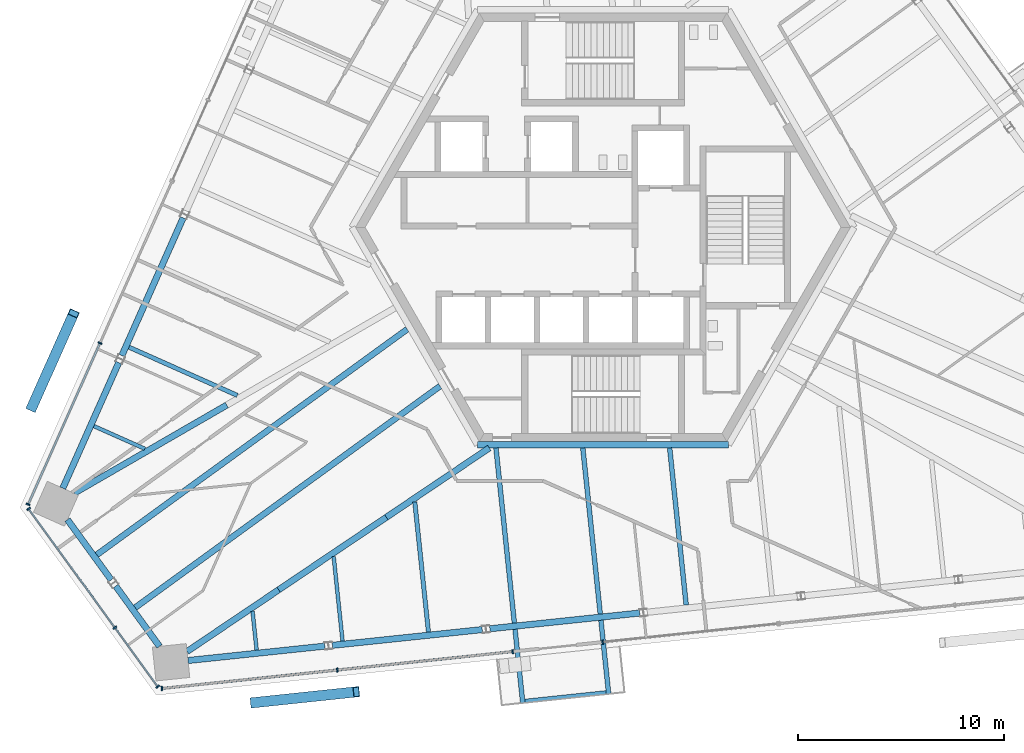
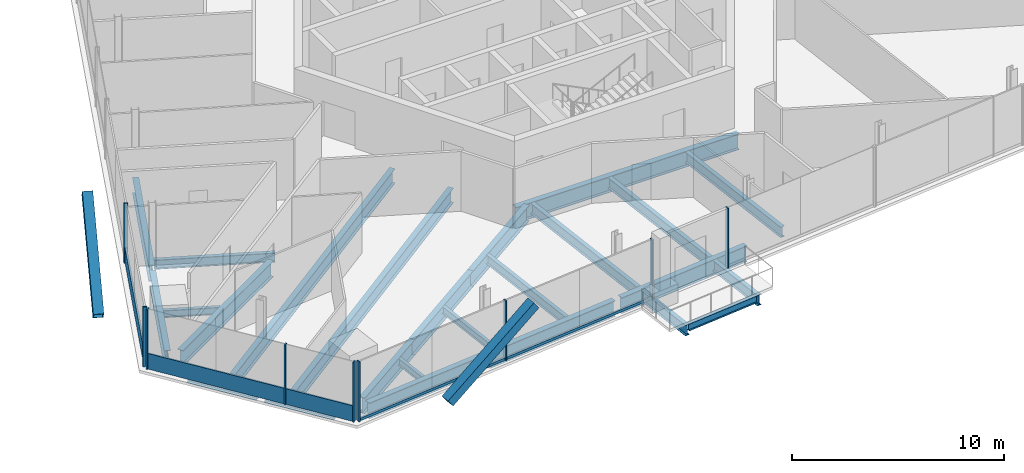
# One storey, part 4 of 19: 25 beams, 16 members, 4 elements without a shape of their own.
"""IFC4 building model written with IfcOpenShell, lengths in metres."""

import ifcopenshell
import ifcopenshell.guid

model = None  # the IFC model being written
_history = None  # IfcOwnerHistory: only IFC2X3 demands one
_inside = {}  # id of a spatial element -> (the spatial element, [elements in it])
_under = {}  # id of a project, library or spatial element -> (it, [spatial elements below it])
_declared = {}  # id of a project -> (the project, [libraries it declares])
_typed = {}  # id of a type object -> (the type object, [elements of that type])
_made_of = {}  # id of a material, layer set ... -> (it, [elements and type objects made of it])


def new_model(schema):
    """Start an empty IFC model of exactly this schema.

    Asked for "IFC4X3", IfcOpenShell would pick the latest addendum, in which some entities
    have other attributes; the version numbers below select the first issue.
    IFC2X3 requires an IfcOwnerHistory on every rooted entity: one is made here for all.
    """
    global model, _history
    if schema == "IFC4X3":
        model = ifcopenshell.file(schema_version=(4, 3, 0, 0))
    else:
        model = ifcopenshell.file(schema=schema)
    _inside.clear()
    _under.clear()
    _declared.clear()
    _typed.clear()
    _made_of.clear()
    _history = None
    if model.schema == "IFC2X3":
        org = make("IfcOrganization", Name="unknown")
        user = make(
            "IfcPersonAndOrganization",
            ThePerson=make("IfcPerson", FamilyName="unknown"),
            TheOrganization=org,
        )
        app = make(
            "IfcApplication",
            ApplicationDeveloper=org,
            Version="unknown",
            ApplicationFullName="unknown",
            ApplicationIdentifier="unknown",
        )
        _history = make(
            "IfcOwnerHistory",
            OwningUser=user,
            OwningApplication=app,
            ChangeAction="ADDED",
            CreationDate=0,
        )
    return model


def make(cls, **values):
    """One entity of the class cls with the attributes given. An attribute that is None is left unset."""
    return model.create_entity(
        cls, **{name: value for name, value in values.items() if value is not None}
    )


def rooted(cls, **values):
    """An entity with a GlobalId (a new one), such as an element, a storey or a relation."""
    return make(cls, GlobalId=ifcopenshell.guid.new(), OwnerHistory=_history, **values)


def si_unit(unit_type, name, prefix=None):
    """IfcSIUnit, for example si_unit("LENGTHUNIT", "METRE", prefix="MILLI")."""
    return make("IfcSIUnit", UnitType=unit_type, Prefix=prefix, Name=name)


def assignment(units):
    """IfcUnitAssignment: the units of a project."""
    return None if units is None else make("IfcUnitAssignment", Units=units)


def point(xyz):
    """IfcCartesianPoint."""
    return None if xyz is None else make("IfcCartesianPoint", Coordinates=xyz)


def direction(xyz):
    """IfcDirection."""
    return None if xyz is None else make("IfcDirection", DirectionRatios=xyz)


def frame(location, z_axis=None, x_axis=None):
    """IfcAxis2Placement3D, a coordinate frame: its origin and axes. An axis left out is left unset."""
    return make(
        "IfcAxis2Placement3D",
        Location=point(location),
        Axis=direction(z_axis),
        RefDirection=direction(x_axis),
    )


def frame_2d(location, x_axis=None):
    """IfcAxis2Placement2D, a coordinate frame in the plane: its origin and x axis."""
    return make(
        "IfcAxis2Placement2D", Location=point(location), RefDirection=direction(x_axis)
    )


def origin():
    """The frame at (0, 0, 0) with its axes left unset."""
    return frame((0.0, 0.0, 0.0))


def origin_2d():
    """The frame at (0, 0) in the plane with its x axis left unset."""
    return frame_2d((0.0, 0.0))


def place(relative_to, where):
    """IfcLocalPlacement: puts the frame where relative to a parent placement (None: the world)."""
    return make(
        "IfcLocalPlacement", PlacementRelTo=relative_to, RelativePlacement=where
    )


def context(
    kind, dimensions, precision=None, world=None, true_north=None, identifier=None
):
    """IfcGeometricRepresentationContext, for example the 3D "Model" context."""
    return make(
        "IfcGeometricRepresentationContext",
        ContextIdentifier=identifier,
        ContextType=kind,
        CoordinateSpaceDimension=dimensions,
        Precision=precision,
        WorldCoordinateSystem=world,
        TrueNorth=true_north,
    )


def subcontext(parent, identifier, kind, view, scale=None):
    """IfcGeometricRepresentationSubContext, for example "Body" below "Model"."""
    return make(
        "IfcGeometricRepresentationSubContext",
        ContextIdentifier=identifier,
        ContextType=kind,
        ParentContext=parent,
        TargetScale=scale,
        TargetView=view,
    )


def project(units=None, contexts=None):
    """IfcProject with its units and contexts."""
    return rooted(
        "IfcProject",
        Name="project",
        RepresentationContexts=contexts,
        UnitsInContext=assignment(units),
    )


def spatial(cls, under=None, at=None, **own):
    """A site, building, storey or space (cls), placed at a placement, below another one or the project."""
    s = rooted(cls, ObjectPlacement=at, **own)
    if under is not None:
        _under.setdefault(under.id(), (under, []))[1].append(s)
    return s


def profile(cls, at=None, kind="AREA", **sizes):
    """A parametric profile (cls). Its sizes go by their IFC names, for example OverallWidth=200.0."""
    return make(cls, ProfileType=kind, Position=at, **sizes)


def rectangle(**sizes):
    """IfcRectangleProfileDef."""
    return profile("IfcRectangleProfileDef", **sizes)


def hollow_rectangle(**sizes):
    """IfcRectangleHollowProfileDef."""
    return profile("IfcRectangleHollowProfileDef", **sizes)


def i_section(**sizes):
    """IfcIShapeProfileDef."""
    return profile("IfcIShapeProfileDef", **sizes)


def extrude(swept, where, along, depth):
    """IfcExtrudedAreaSolid: the profile swept, set in the frame where, extruded along a direction by depth."""
    return make(
        "IfcExtrudedAreaSolid",
        SweptArea=swept,
        Position=where,
        ExtrudedDirection=direction(along),
        Depth=depth,
    )


def shape(context_of_items, identifier, shape_type, items):
    """IfcShapeRepresentation: the items that make up one representation, for example the "Body"."""
    return make(
        "IfcShapeRepresentation",
        ContextOfItems=context_of_items,
        RepresentationIdentifier=identifier,
        RepresentationType=shape_type,
        Items=items,
    )


def source(mapping_origin, context_of_items, identifier, shape_type, items):
    """IfcRepresentationMap: a shape defined once, which mapped items show again and again."""
    return make(
        "IfcRepresentationMap",
        MappingOrigin=mapping_origin,
        MappedRepresentation=shape(context_of_items, identifier, shape_type, items),
    )


def transform(
    local_origin,
    x_axis=None,
    y_axis=None,
    z_axis=None,
    scale=None,
    scale2=None,
    scale3=None,
    uniform=True,
):
    """IfcCartesianTransformationOperator3D, or its non-uniform kind. x_axis, y_axis, z_axis: its Axis1, 2, 3."""
    if uniform:
        return make(
            "IfcCartesianTransformationOperator3D",
            Axis1=direction(x_axis),
            Axis2=direction(y_axis),
            LocalOrigin=point(local_origin),
            Scale=scale,
            Axis3=direction(z_axis),
        )
    return make(
        "IfcCartesianTransformationOperator3DnonUniform",
        Axis1=direction(x_axis),
        Axis2=direction(y_axis),
        LocalOrigin=point(local_origin),
        Scale=scale,
        Axis3=direction(z_axis),
        Scale2=scale2,
        Scale3=scale3,
    )


def mapped(mapping_source, mapping_target):
    """IfcMappedItem: shows the shape of a source again, moved by a transform."""
    return make(
        "IfcMappedItem", MappingSource=mapping_source, MappingTarget=mapping_target
    )


def material(Name=None, Category=None):
    """IfcMaterial."""
    return make("IfcMaterial", Name=Name, Category=Category)


def material_profile(
    of_material, cross_section, Name=None, Category=None, Priority=None
):
    """IfcMaterialProfile: a cross section and its material."""
    return make(
        "IfcMaterialProfile",
        Name=Name,
        Material=of_material,
        Profile=cross_section,
        Priority=Priority,
        Category=Category,
    )


def profile_set(profiles, Name=None, composite=None):
    """IfcMaterialProfileSet."""
    return make(
        "IfcMaterialProfileSet",
        Name=Name,
        MaterialProfiles=profiles,
        CompositeProfile=composite,
    )


def made_of(thing, what):
    """Note that an element or type object is made of a material, layer set ...; save() writes the relation."""
    if what is not None:
        _made_of.setdefault(what.id(), (what, []))[1].append(thing)
    return thing


def type_object(cls, material=None, **own):
    """A type object (cls), such as IfcWallType, which elements share."""
    return made_of(rooted(cls, **own), material)


def element(
    cls,
    number,
    at=None,
    inside=None,
    cuts=None,
    type_object=None,
    material=None,
    context=None,
    identifier="Body",
    shape_type=None,
    held_by="IfcProductDefinitionShape",
    body=None,
    shapes=None,
    **own,
):
    """One element of the class cls, such as IfcWall. Its Tag is "e" and its number.

    at: its placement. inside: the storey or other place that contains it. cuts: it is an
    opening in that element (IfcRelVoidsElement). A single representation is given by context,
    identifier, shape_type and body (its items); several are given by shapes. held_by: the class
    of the entity that holds the representations. save() writes the other relations.
    """
    e = rooted(cls, Tag="e%d" % number, ObjectPlacement=at, **own)
    if body is not None:
        shapes = [shape(context, identifier, shape_type, body)]
    if shapes is not None:
        e.Representation = make(held_by, Representations=shapes)
    if inside is not None:
        _inside.setdefault(inside.id(), (inside, []))[1].append(e)
    if cuts is not None:
        rooted(
            "IfcRelVoidsElement", RelatingBuildingElement=cuts, RelatedOpeningElement=e
        )
    if type_object is not None:
        _typed.setdefault(type_object.id(), (type_object, []))[1].append(e)
    return made_of(e, material)


def aggregate(whole, parts):
    """IfcRelAggregates: a whole, such as a stair, and the parts it consists of."""
    return rooted("IfcRelAggregates", RelatingObject=whole, RelatedObjects=parts)


def save(model, path):
    """Write the relations noted so far, then the file.

    IfcRelAggregates (storeys below a building ...), IfcRelContainedInSpatialStructure (elements
    in a storey), IfcRelDefinesByType, IfcRelAssociatesMaterial and IfcRelDeclares: one each for
    every whole, place, type object, material and project.
    """
    for whole, parts in _under.values():
        aggregate(whole, parts)
    for where, things in _inside.values():
        rooted(
            "IfcRelContainedInSpatialStructure",
            RelatedElements=things,
            RelatingStructure=where,
        )
    for kind, things in _typed.values():
        rooted("IfcRelDefinesByType", RelatedObjects=things, RelatingType=kind)
    for what, things in _made_of.values():
        rooted("IfcRelAssociatesMaterial", RelatedObjects=things, RelatingMaterial=what)
    for by, libraries in _declared.values():
        rooted("IfcRelDeclares", RelatingContext=by, RelatedDefinitions=libraries)
    model.write(path)


model = new_model("IFC4")

# Units and contexts
model_context = context("Model", 3, precision=1e-05, world=origin(), true_north=direction((0.0, 1.0)))
body_context = subcontext(model_context, "Body", "Model", "MODEL_VIEW")
ifc_project = project(units=[si_unit("LENGTHUNIT", "METRE"), si_unit("AREAUNIT", "SQUARE_METRE"), si_unit("VOLUMEUNIT", "CUBIC_METRE"), si_unit("PLANEANGLEUNIT", "RADIAN"), si_unit("MASSUNIT", "GRAM", prefix="KILO")], contexts=[model_context])

# Site, building, storey
site_placement = place(None, origin())
site = spatial("IfcSite", under=ifc_project, at=site_placement, CompositionType="ELEMENT")
building_placement = place(site_placement, origin())
building = spatial("IfcBuilding", under=site, at=building_placement, Name="Triune Harvest Tower", CompositionType="ELEMENT")
storey_placement = place(building_placement, frame((0.0, 0.0, 223.300048828125)))
storey = spatial("IfcBuildingStorey", under=building, at=storey_placement, Name="L58", CompositionType="ELEMENT", Elevation=223.300048828125)

# Beams
ifc_material_1 = material(Name="Steel ASTM A992 Gr 50", Category="steel")
ifc_material_profile_1 = material_profile(ifc_material_1, i_section(OverallWidth=0.3046875, OverallDepth=0.914306640625, WebThickness=0.0166015625, FlangeThickness=0.02587890625, at=origin_2d()), Name="W36x160")
ifc_profile_set_1 = profile_set([ifc_material_profile_1], Name="Steel ASTM A992 Gr 50")
beam_type_1 = type_object("IfcBeamType", Name="CG-1 Core ring girder W36x160", PredefinedType="BEAM", material=ifc_profile_set_1)
shared_shape_1 = source(origin(), body_context, "Body", "SweptSolid", [
    extrude(i_section(OverallWidth=0.3046875, OverallDepth=0.914306640625, WebThickness=0.0166015625, FlangeThickness=0.02587890625, at=origin_2d()), origin(), (0.0, 0.0, 1.0), 12.17578125),
])
beam_1_placement = place(storey_placement, frame((-6.087890625, -10.544677734375, -0.6171875), z_axis=(1.0, 0.0, 0.0), x_axis=(0.0, 1.0, 0.0)))
element("IfcBeam", 1, at=beam_1_placement, inside=storey, type_object=beam_type_1, Name="beam/L58/CG5", PredefinedType="BEAM", context=body_context, shape_type="MappedRepresentation", body=[
    mapped(shared_shape_1, transform((0.0, 0.0, 0.0), scale=1.0)),
])
ifc_material_2 = material(Name="Steel ASTM A992 Gr 50", Category="steel")
ifc_material_profile_2 = material_profile(ifc_material_2, i_section(OverallWidth=0.3046875, OverallDepth=0.914306640625, WebThickness=0.0166015625, FlangeThickness=0.02587890625, at=origin_2d()), Name="W36x160")
ifc_profile_set_2 = profile_set([ifc_material_profile_2], Name="Steel ASTM A992 Gr 50")
beam_type_2 = type_object("IfcBeamType", Name="HG-3 Hip girder W36x160", PredefinedType="BEAM", material=ifc_profile_set_2)
shared_shape_2 = source(origin(), body_context, "Body", "SweptSolid", [
    extrude(i_section(OverallWidth=0.3046875, OverallDepth=0.914306640625, WebThickness=0.0166015625, FlangeThickness=0.02587890625, at=origin_2d()), origin(), (0.0, 0.0, 1.0), 6.293701171875),
])
beam_2_placement = place(storey_placement, frame((-15.72802734375, -17.576904296875, -0.6171875), z_axis=(0.829391075311, 0.558668456416, 0.0), x_axis=(-0.558668456416, 0.829391075311, 0.0)))
element("IfcBeam", 2, at=beam_2_placement, inside=storey, type_object=beam_type_2, Name="beam/L58/HG8", PredefinedType="BEAM", context=body_context, shape_type="MappedRepresentation", body=[
    mapped(shared_shape_2, transform((0.0, 0.0, 0.0), scale=1.0)),
])
shared_shape_3 = source(origin(), body_context, "Body", "SweptSolid", [
    extrude(i_section(OverallWidth=0.3046875, OverallDepth=0.914306640625, WebThickness=0.0166015625, FlangeThickness=0.02587890625, at=origin_2d()), origin(), (0.0, 0.0, 1.0), 6.02099609375),
])
beam_3_placement = place(storey_placement, frame((-10.508056640625, -14.060791015625, -0.6171875), z_axis=(0.829383245618, 0.558680080088, 0.0), x_axis=(-0.558680080088, 0.829383245618, 0.0)))
element("IfcBeam", 3, at=beam_3_placement, inside=storey, type_object=beam_type_2, Name="beam/L58/HG9", PredefinedType="BEAM", context=body_context, shape_type="MappedRepresentation", body=[
    mapped(shared_shape_3, transform((0.0, 0.0, 0.0), scale=1.0)),
])
ifc_material_3 = material(Name="Steel ASTM A992 Gr 50", Category="steel")
ifc_material_profile_3 = material_profile(ifc_material_3, i_section(OverallWidth=0.3046875, OverallDepth=0.914306640625, WebThickness=0.0166015625, FlangeThickness=0.02587890625, at=origin_2d()), Name="W36x160")
ifc_profile_set_3 = profile_set([ifc_material_profile_3], Name="Steel ASTM A992 Gr 50")
beam_type_3 = type_object("IfcBeamType", Name="SB-1 Spandrel beam W36x160", PredefinedType="SPANDREL", material=ifc_profile_set_3)
shared_shape_4 = source(origin(), body_context, "Body", "SweptSolid", [
    extrude(i_section(OverallWidth=0.3046875, OverallDepth=0.914306640625, WebThickness=0.0166015625, FlangeThickness=0.02587890625, at=origin_2d()), origin(), (0.0, 0.0, 1.0), 6.67041015625),
])
beam_4_placement = place(storey_placement, frame((-20.127685546875, -21.007080078125, -0.6171875), z_axis=(0.994521485501, 0.104532362822, 0.0), x_axis=(-0.104532362822, 0.994521485501, 0.0)))
element("IfcBeam", 4, at=beam_4_placement, inside=storey, type_object=beam_type_3, Name="beam/L58/SB17", PredefinedType="SPANDREL", context=body_context, shape_type="MappedRepresentation", body=[
    mapped(shared_shape_4, transform((0.0, 0.0, 0.0), scale=1.0)),
])
shared_shape_5 = source(origin(), body_context, "Body", "SweptSolid", [
    extrude(i_section(OverallWidth=0.3046875, OverallDepth=0.914306640625, WebThickness=0.0166015625, FlangeThickness=0.02587890625, at=origin_2d()), origin(), (0.0, 0.0, 1.0), 7.31103515625),
])
beam_5_placement = place(storey_placement, frame((-13.127685546875, -20.271240234375, -0.6171875), z_axis=(0.994522639393, 0.104521384101, 0.0), x_axis=(-0.104521384101, 0.994522639393, 0.0)))
element("IfcBeam", 5, at=beam_5_placement, inside=storey, type_object=beam_type_3, Name="beam/L58/SB18", PredefinedType="SPANDREL", context=body_context, shape_type="MappedRepresentation", body=[
    mapped(shared_shape_5, transform((0.0, 0.0, 0.0), scale=1.0)),
])
shared_shape_6 = source(origin(), body_context, "Body", "SweptSolid", [
    extrude(i_section(OverallWidth=0.3046875, OverallDepth=0.914306640625, WebThickness=0.0166015625, FlangeThickness=0.02587890625, at=origin_2d()), origin(), (0.0, 0.0, 1.0), 3.614990234375),
])
for number, where, z_axis, x_axis, name in (
    (6, (-25.974365234375, -14.175537109375, -0.6171875), (0.587818273033, -0.808993002373, 0.0), (0.808993002373, 0.587818273033, 0.0), "beam/L58/SB15"),
    (7, (-23.633056640625, -17.39794921875, -0.6171875), (0.587818273033, -0.808993002373, 0.0), (0.808993002373, 0.587818273033, 0.0), "beam/L58/SB16"),
):
    element("IfcBeam", number, at=place(storey_placement, frame(where, z_axis=z_axis, x_axis=x_axis)), inside=storey, type_object=beam_type_3, Name=name, PredefinedType="SPANDREL", context=body_context, shape_type="MappedRepresentation", body=[
        mapped(shared_shape_6, transform((0.0, 0.0, 0.0), scale=1.0)),
    ])
shared_shape_7 = source(origin(), body_context, "Body", "SweptSolid", [
    extrude(i_section(OverallWidth=0.3046875, OverallDepth=0.914306640625, WebThickness=0.0166015625, FlangeThickness=0.02587890625, at=origin_2d()), origin(), (0.0, 0.0, 1.0), 6.670166015625),
])
beam_6_placement = place(storey_placement, frame((-23.485595703125, -6.5576171875, -0.6171875), z_axis=(-0.406722507275, -0.913551751176, 0.0), x_axis=(0.913551751176, -0.406722507275, 0.0)))
element("IfcBeam", 8, at=beam_6_placement, inside=storey, type_object=beam_type_3, Name="beam/L58/SB14", PredefinedType="SPANDREL", context=body_context, shape_type="MappedRepresentation", body=[
    mapped(shared_shape_7, transform((0.0, 0.0, 0.0), scale=1.0)),
])
shared_shape_8 = source(origin(), body_context, "Body", "SweptSolid", [
    extrude(i_section(OverallWidth=0.3046875, OverallDepth=0.914306640625, WebThickness=0.0166015625, FlangeThickness=0.02587890625, at=origin_2d()), origin(), (0.0, 0.0, 1.0), 7.311279296875),
])
for number, where, z_axis, x_axis, name in (
    (9, (-20.362060546875, 0.4580078125, -0.6171875), (-0.406720859208, -0.91355248491, 0.0), (0.91355248491, -0.406720859208, 0.0), "beam/L58/SB13"),
    (10, (-5.490478515625, -19.468505859375, -0.6171875), (0.994519532674, 0.104550940362, 0.0), (-0.104550940362, 0.994519532674, 0.0), "beam/L58/SB19"),
):
    element("IfcBeam", number, at=place(storey_placement, frame(where, z_axis=z_axis, x_axis=x_axis)), inside=storey, type_object=beam_type_3, Name=name, PredefinedType="SPANDREL", context=body_context, shape_type="MappedRepresentation", body=[
        mapped(shared_shape_8, transform((0.0, 0.0, 0.0), scale=1.0)),
    ])
shared_shape_9 = source(origin(), body_context, "Body", "SweptSolid", [
    extrude(i_section(OverallWidth=0.3046875, OverallDepth=0.914306640625, WebThickness=0.0166015625, FlangeThickness=0.02587890625, at=origin_2d()), origin(), (0.0, 0.0, 1.0), 8.548583984375),
])
beam_7_placement = place(storey_placement, frame((-25.651123046875, -12.89501953125, -0.6171875), z_axis=(0.866020080793, 0.500009219579, 0.0), x_axis=(-0.500009219579, 0.866020080793, 0.0)))
element("IfcBeam", 11, at=beam_7_placement, inside=storey, type_object=beam_type_2, Name="beam/L58/HG5", PredefinedType="BEAM", context=body_context, shape_type="MappedRepresentation", body=[
    mapped(shared_shape_9, transform((0.0, 0.0, 0.0), scale=1.0)),
])
shared_shape_10 = source(origin(), body_context, "Body", "SweptSolid", [
    extrude(i_section(OverallWidth=0.3046875, OverallDepth=0.914306640625, WebThickness=0.0166015625, FlangeThickness=0.02587890625, at=origin_2d()), origin(), (0.0, 0.0, 1.0), 5.35986328125),
])
beam_8_placement = place(storey_placement, frame((-20.173583984375, -20.5712890625, -0.6171875), z_axis=(0.829399024376, 0.558656655169, 0.0), x_axis=(-0.558656655169, 0.829399024376, 0.0)))
element("IfcBeam", 12, at=beam_8_placement, inside=storey, type_object=beam_type_2, Name="beam/L58/HG7", PredefinedType="BEAM", context=body_context, shape_type="MappedRepresentation", body=[
    mapped(shared_shape_10, transform((0.0, 0.0, 0.0), scale=1.0)),
])
ifc_material_4 = material(Name="Steel ASTM A992 Gr 50", Category="steel")
ifc_material_profile_4 = material_profile(ifc_material_4, i_section(OverallWidth=0.2099609375, OverallDepth=0.535888671875, WebThickness=0.010986328125, FlangeThickness=0.017333984375, at=origin_2d()), Name="W21x68")
ifc_profile_set_4 = profile_set([ifc_material_profile_4], Name="Steel ASTM A992 Gr 50")
beam_type_4 = type_object("IfcBeamType", Name="JT-2 Floor joist W21x68", PredefinedType="JOIST", material=ifc_profile_set_4)
shared_shape_11 = source(origin(), body_context, "Body", "SweptSolid", [
    extrude(i_section(OverallWidth=0.2099609375, OverallDepth=0.535888671875, WebThickness=0.010986328125, FlangeThickness=0.017333984375, at=origin_2d()), origin(), (0.0, 0.0, 1.0), 6.346435546875),
])
beam_9_placement = place(storey_placement, frame((-8.466552734375, -19.628173828125, -0.427978515625), z_axis=(-0.104518578592, 0.99452293424, 0.0), x_axis=(-0.99452293424, -0.104518578592, 0.0)))
element("IfcBeam", 13, at=beam_9_placement, inside=storey, type_object=beam_type_4, Name="beam/L58/JT27", PredefinedType="JOIST", context=body_context, shape_type="MappedRepresentation", body=[
    mapped(shared_shape_11, transform((0.0, 0.0, 0.0), scale=1.0)),
])
ifc_material_5 = material(Name="Steel ASTM A992 Gr 50", Category="steel")
ifc_material_profile_5 = material_profile(ifc_material_5, i_section(OverallWidth=0.22900390625, OverallDepth=0.612060546875, WebThickness=0.011962890625, FlangeThickness=0.01953125, at=origin_2d()), Name="W24x84")
ifc_profile_set_5 = profile_set([ifc_material_profile_5], Name="Steel ASTM A992 Gr 50")
beam_type_5 = type_object("IfcBeamType", Name="JT-3 Floor joist W24x84", PredefinedType="JOIST", material=ifc_profile_set_5)
shared_shape_12 = source(origin(), body_context, "Body", "SweptSolid", [
    extrude(i_section(OverallWidth=0.22900390625, OverallDepth=0.612060546875, WebThickness=0.011962890625, FlangeThickness=0.01953125, at=origin_2d()), origin(), (0.0, 0.0, 1.0), 8.099609375),
])
beam_10_placement = place(storey_placement, frame((-0.135009765625, -18.752197265625, -0.466064453125), z_axis=(-0.104534153452, 0.994521297289, 0.0), x_axis=(-0.994521297289, -0.104534153452, 0.0)))
element("IfcBeam", 14, at=beam_10_placement, inside=storey, type_object=beam_type_5, Name="beam/L58/JT29", PredefinedType="JOIST", context=body_context, shape_type="MappedRepresentation", body=[
    mapped(shared_shape_12, transform((0.0, 0.0, 0.0), scale=1.0)),
])
shared_shape_13 = source(origin(), body_context, "Body", "SweptSolid", [
    extrude(i_section(OverallWidth=0.22900390625, OverallDepth=0.612060546875, WebThickness=0.011962890625, FlangeThickness=0.01953125, at=origin_2d()), origin(), (0.0, 0.0, 1.0), 7.659423828125),
])
beam_11_placement = place(storey_placement, frame((4.031005859375, -18.314453125, -0.466064453125), z_axis=(-0.104548726976, 0.994519765358, 0.0), x_axis=(-0.994519765358, -0.104548726976, 0.0)))
element("IfcBeam", 15, at=beam_11_placement, inside=storey, type_object=beam_type_5, Name="beam/L58/JT30", PredefinedType="JOIST", context=body_context, shape_type="MappedRepresentation", body=[
    mapped(shared_shape_13, transform((0.0, 0.0, 0.0), scale=1.0)),
])
shared_shape_14 = source(origin(), body_context, "Body", "SweptSolid", [
    extrude(i_section(OverallWidth=0.2099609375, OverallDepth=0.535888671875, WebThickness=0.010986328125, FlangeThickness=0.017333984375, at=origin_2d()), origin(), (0.0, 0.0, 1.0), 5.745849609375),
])
beam_12_placement = place(storey_placement, frame((-22.987548828125, -5.8134765625, -0.427978515625), z_axis=(0.913552037091, -0.406721865071, 0.0), x_axis=(0.406721865071, 0.913552037091, 0.0)))
element("IfcBeam", 16, at=beam_12_placement, inside=storey, type_object=beam_type_4, Name="beam/L58/JT21", PredefinedType="JOIST", context=body_context, shape_type="MappedRepresentation", body=[
    mapped(shared_shape_14, transform((0.0, 0.0, 0.0), scale=1.0)),
])
ifc_material_6 = material(Name="Steel ASTM A992 Gr 50", Category="steel")
ifc_material_profile_6 = material_profile(ifc_material_6, i_section(OverallWidth=0.2919921875, OverallDepth=0.8408203125, WebThickness=0.0146484375, FlangeThickness=0.021728515625, at=origin_2d()), Name="W33x130")
ifc_profile_set_6 = profile_set([ifc_material_profile_6], Name="Steel ASTM A992 Gr 50")
beam_type_6 = type_object("IfcBeamType", Name="JT-6 Floor joist W33x130", PredefinedType="JOIST", material=ifc_profile_set_6)
shared_shape_15 = source(origin(), body_context, "Body", "SweptSolid", [
    extrude(i_section(OverallWidth=0.2919921875, OverallDepth=0.8408203125, WebThickness=0.0146484375, FlangeThickness=0.021728515625, at=origin_2d()), origin(), (0.0, 0.0, 1.0), 18.27099609375),
])
beam_13_placement = place(storey_placement, frame((-22.68701171875, -18.44091796875, -0.58056640625), z_axis=(0.809013927609, 0.587789473311, 0.0), x_axis=(-0.587789473311, 0.809013927609, 0.0)))
element("IfcBeam", 17, at=beam_13_placement, inside=storey, type_object=beam_type_6, Name="beam/L58/JT24", PredefinedType="JOIST", context=body_context, shape_type="MappedRepresentation", body=[
    mapped(shared_shape_15, transform((0.0, 0.0, 0.0), scale=1.0)),
])
ifc_material_7 = material(Name="Steel ASTM A992 Gr 50", Category="steel")
ifc_material_profile_7 = material_profile(ifc_material_7, i_section(OverallWidth=0.180908203125, OverallDepth=0.41650390625, WebThickness=0.010986328125, FlangeThickness=0.01806640625, at=origin_2d()), Name="W16x57")
ifc_profile_set_7 = profile_set([ifc_material_profile_7], Name="Steel ASTM A992 Gr 50")
beam_type_7 = type_object("IfcBeamType", Name="JT-1 Floor joist W16x57", PredefinedType="JOIST", material=ifc_profile_set_7)
shared_shape_16 = source(origin(), body_context, "Body", "SweptSolid", [
    extrude(i_section(OverallWidth=0.180908203125, OverallDepth=0.41650390625, WebThickness=0.010986328125, FlangeThickness=0.01806640625, at=origin_2d()), origin(), (0.0, 0.0, 1.0), 1.899169921875),
])
beam_14_placement = place(storey_placement, frame((-16.79833984375, -20.50390625, -0.368408203125), z_axis=(-0.104517481806, 0.994523049505, 0.0), x_axis=(-0.994523049505, -0.104517481806, 0.0)))
element("IfcBeam", 18, at=beam_14_placement, inside=storey, type_object=beam_type_7, Name="beam/L58/JT25", PredefinedType="JOIST", context=body_context, shape_type="MappedRepresentation", body=[
    mapped(shared_shape_16, transform((0.0, 0.0, 0.0), scale=1.0)),
])
shared_shape_17 = source(origin(), body_context, "Body", "SweptSolid", [
    extrude(i_section(OverallWidth=0.180908203125, OverallDepth=0.41650390625, WebThickness=0.010986328125, FlangeThickness=0.01806640625, at=origin_2d()), origin(), (0.0, 0.0, 1.0), 4.12255859375),
])
beam_15_placement = place(storey_placement, frame((-12.632568359375, -20.06591796875, -0.368408203125), z_axis=(-0.104521403768, 0.994522637326, 0.0), x_axis=(-0.994522637326, -0.104521403768, 0.0)))
element("IfcBeam", 19, at=beam_15_placement, inside=storey, type_object=beam_type_7, Name="beam/L58/JT26", PredefinedType="JOIST", context=body_context, shape_type="MappedRepresentation", body=[
    mapped(shared_shape_17, transform((0.0, 0.0, 0.0), scale=1.0)),
])
shared_shape_18 = source(origin(), body_context, "Body", "SweptSolid", [
    extrude(i_section(OverallWidth=0.180908203125, OverallDepth=0.41650390625, WebThickness=0.010986328125, FlangeThickness=0.01806640625, at=origin_2d()), origin(), (0.0, 0.0, 1.0), 2.702392578125),
])
beam_16_placement = place(storey_placement, frame((-24.691162109375, -9.64013671875, -0.368408203125), z_axis=(0.913550575703, -0.406725147529, 0.0), x_axis=(0.406725147529, 0.913550575703, 0.0)))
element("IfcBeam", 20, at=beam_16_placement, inside=storey, type_object=beam_type_7, Name="beam/L58/JT22", PredefinedType="JOIST", context=body_context, shape_type="MappedRepresentation", body=[
    mapped(shared_shape_18, transform((0.0, 0.0, 0.0), scale=1.0)),
])
shared_shape_19 = source(origin(), body_context, "Body", "SweptSolid", [
    extrude(i_section(OverallWidth=0.2919921875, OverallDepth=0.8408203125, WebThickness=0.0146484375, FlangeThickness=0.021728515625, at=origin_2d()), origin(), (0.0, 0.0, 1.0), 18.603515625),
])
beam_17_placement = place(storey_placement, frame((-24.548828125, -15.8779296875, -0.58056640625), z_axis=(0.809011797406, 0.58779240524, 0.0), x_axis=(-0.58779240524, 0.809011797406, 0.0)))
element("IfcBeam", 21, at=beam_17_placement, inside=storey, type_object=beam_type_6, Name="beam/L58/JT23", PredefinedType="JOIST", context=body_context, shape_type="MappedRepresentation", body=[
    mapped(shared_shape_19, transform((0.0, 0.0, 0.0), scale=1.0)),
])
shared_shape_20 = source(origin(), body_context, "Body", "SweptSolid", [
    extrude(i_section(OverallWidth=0.22900390625, OverallDepth=0.612060546875, WebThickness=0.011962890625, FlangeThickness=0.01953125, at=origin_2d()), origin(), (0.0, 0.0, 1.0), 8.5400390625),
])
beam_18_placement = place(storey_placement, frame((-4.30078125, -19.190185546875, -0.466064453125), z_axis=(-0.104546386162, 0.994520011433, 0.0), x_axis=(-0.994520011433, -0.104546386162, 0.0)))
element("IfcBeam", 22, at=beam_18_placement, inside=storey, type_object=beam_type_5, Name="beam/L58/JT28", PredefinedType="JOIST", context=body_context, shape_type="MappedRepresentation", body=[
    mapped(shared_shape_20, transform((0.0, 0.0, 0.0), scale=1.0)),
])

# Members
ifc_material_8 = material(Name="Steel ASTM A572 Gr 50", Category="steel")
ifc_material_profile_8 = material_profile(ifc_material_8, hollow_rectangle(XDim=0.5, YDim=0.5, WallThickness=0.030029296875, at=origin_2d()), Name="Box 500x500x30")
ifc_profile_set_8 = profile_set([ifc_material_profile_8], Name="Steel ASTM A572 Gr 50")
member_type_1 = type_object("IfcMemberType", Name="BR-3 Brace Box 500x500x30", PredefinedType="BRACE", material=ifc_profile_set_8)
shared_shape_21 = source(origin(), body_context, "Body", "SweptSolid", [
    extrude(hollow_rectangle(XDim=0.5, YDim=0.5, WallThickness=0.030029296875, at=origin_2d()), origin(), (0.0, 0.0, 1.0), 6.170654296875),
])
for number, where, z_axis, x_axis, name in (
    (23, (-27.708740234375, -8.751953125, 0.0), (0.330359661148, 0.741983842536, 0.583371641153), (-0.913542177249, 0.406744010879, 0.0), "brace/B6-F3/d2/2"),
    (24, (-16.94873046875, -23.051513671875, 0.0), (0.807749784762, 0.084905517148, 0.583379240611), (-0.104537710696, 0.994520923381, 0.0), "brace/B6-F5/d1/2"),
):
    element("IfcMember", number, at=place(storey_placement, frame(where, z_axis=z_axis, x_axis=x_axis)), inside=storey, type_object=member_type_1, Name=name, PredefinedType="BRACE", context=body_context, shape_type="MappedRepresentation", body=[
        mapped(shared_shape_21, transform((0.0, 0.0, 0.0), scale=1.0)),
    ])

# Curtain wall, members
ifc_material_9 = material(Name="Aluminium bronze anodised", Category="aluminium")
curtain_wall_type_1 = type_object("IfcCurtainWallType", Name="CW-7 Tower stick curtain wall with insulated spandrel infill", PredefinedType="NOTDEFINED", material=ifc_material_9)
curtain_wall_1_placement = place(storey_placement, origin())
curtain_wall_1 = element("IfcCurtainWall", 25, at=curtain_wall_1_placement, inside=storey, type_object=curtain_wall_type_1, Name="CW-7 B6-F3 L58 run 2001")
ifc_material_10 = material(Name="Aluminium bronze anodised", Category="aluminium")
ifc_material_profile_9 = material_profile(ifc_material_10, rectangle(XDim=0.199951171875, YDim=0.074951171875, at=origin_2d()), Name="MU-1 mullion 75 x 200")
ifc_profile_set_9 = profile_set([ifc_material_profile_9], Name="Aluminium bronze anodised")
member_type_2 = type_object("IfcMemberType", Name="MU-1 mullion 75 x 200", PredefinedType="MULLION", material=ifc_profile_set_9)
shared_shape_22 = source(origin(), body_context, "Body", "SweptSolid", [
    extrude(rectangle(XDim=0.199951171875, YDim=0.074951171875, at=origin_2d()), origin(), (0.0, 0.0, 1.0), 3.43994140625),
])
member_1_placement = place(storey_placement, frame((-24.3955078125, -5.61279296875, 0.0), z_axis=(0.0, 0.0, 1.0), x_axis=(0.913545906768, -0.406735634323, 0.0)))
member_1 = element("IfcMember", 26, at=member_1_placement, type_object=member_type_2, Name="CW-7 mullion B6-F3 2001.3", PredefinedType="MULLION", context=body_context, shape_type="MappedRepresentation", body=[
    mapped(shared_shape_22, transform((0.0, 0.0, 0.0), scale=1.0)),
])
member_2_placement = place(storey_placement, frame((-27.878173828125, -13.43505859375, 0.0), z_axis=(0.0, 0.0, 1.0), x_axis=(0.913545906768, -0.406735634323, 0.0)))
member_2 = element("IfcMember", 27, at=member_2_placement, type_object=member_type_2, Name="CW-7 mullion B6-F3 2001.5", PredefinedType="MULLION", context=body_context, shape_type="MappedRepresentation", body=[
    mapped(shared_shape_22, transform((0.0, 0.0, 0.0), scale=1.0)),
])

ifc_material_11 = material(Name="Aluminium bronze anodised", Category="aluminium")
curtain_wall_type_2 = type_object("IfcCurtainWallType", Name="CW-1 Tower stick curtain wall", PredefinedType="NOTDEFINED", material=ifc_material_11)
curtain_wall_2_placement = place(storey_placement, origin())
curtain_wall_2 = element("IfcCurtainWall", 28, at=curtain_wall_2_placement, inside=storey, type_object=curtain_wall_type_2, Name="CW-1 B6-F4 L58 run 1")
member_3_placement = place(storey_placement, frame((-27.855224609375, -13.654541015625, 0.0), z_axis=(0.0, 0.0, 1.0), x_axis=(0.809014317982, 0.587788936013, 0.0)))
member_3 = element("IfcMember", 29, at=member_3_placement, type_object=member_type_2, Name="CW-1 mullion B6-F4 1.1", PredefinedType="MULLION", context=body_context, shape_type="MappedRepresentation", body=[
    mapped(shared_shape_22, transform((0.0, 0.0, 0.0), scale=1.0)),
])
member_4_placement = place(storey_placement, frame((-23.673828125, -19.409912109375, 0.0), z_axis=(0.0, 0.0, 1.0), x_axis=(0.809014317982, 0.587788936013, 0.0)))
member_4 = element("IfcMember", 30, at=member_4_placement, type_object=member_type_2, Name="CW-1 mullion B6-F4 1.3", PredefinedType="MULLION", context=body_context, shape_type="MappedRepresentation", body=[
    mapped(shared_shape_22, transform((0.0, 0.0, 0.0), scale=1.0)),
])
member_5_placement = place(storey_placement, frame((-21.593994140625, -22.272216796875, 0.0), z_axis=(0.0, 0.0, 1.0), x_axis=(0.809014317982, 0.587788936013, 0.0)))
member_5 = element("IfcMember", 31, at=member_5_placement, type_object=member_type_2, Name="CW-1 mullion B6-F4 1.4", PredefinedType="MULLION", context=body_context, shape_type="MappedRepresentation", body=[
    mapped(shared_shape_22, transform((0.0, 0.0, 0.0), scale=1.0)),
])

ifc_material_12 = material(Name="Aluminium bronze anodised", Category="aluminium")
curtain_wall_type_3 = type_object("IfcCurtainWallType", Name="CW-10 Balcony window wall with insulated spandrel infill", PredefinedType="NOTDEFINED", material=ifc_material_12)
curtain_wall_3_placement = place(storey_placement, origin())
curtain_wall_3 = element("IfcCurtainWall", 32, at=curtain_wall_3_placement, inside=storey, type_object=curtain_wall_type_3, Name="CW-10 B6-F5 L58 run 1")
ifc_material_13 = material(Name="Aluminium bronze anodised", Category="aluminium")
ifc_material_profile_10 = material_profile(ifc_material_13, rectangle(XDim=0.199951171875, YDim=0.074951171875, at=origin_2d()), Name="MU-6 mullion 75 x 200")
ifc_profile_set_10 = profile_set([ifc_material_profile_10], Name="Aluminium bronze anodised")
member_type_3 = type_object("IfcMemberType", Name="MU-6 mullion 75 x 200", PredefinedType="MULLION", material=ifc_profile_set_10)
shared_shape_23 = source(origin(), body_context, "Body", "SweptSolid", [
    extrude(rectangle(XDim=0.199951171875, YDim=0.074951171875, at=origin_2d()), origin(), (0.0, 0.0, 1.0), 3.43994140625),
])
member_6_placement = place(storey_placement, frame((-21.392333984375, -22.362060546875, 0.0), z_axis=(0.0, 0.0, 1.0), x_axis=(-0.104529869379, 0.994521747579, 0.0)))
member_6 = element("IfcMember", 33, at=member_6_placement, type_object=member_type_3, Name="CW-10 mullion B6-F5 1.1", PredefinedType="MULLION", context=body_context, shape_type="MappedRepresentation", body=[
    mapped(shared_shape_23, transform((0.0, 0.0, 0.0), scale=1.0)),
])
member_7_placement = place(storey_placement, frame((-12.888916015625, -21.46826171875, 0.0), z_axis=(0.0, 0.0, 1.0), x_axis=(-0.104529869379, 0.994521747579, 0.0)))
member_7 = element("IfcMember", 34, at=member_7_placement, type_object=member_type_3, Name="CW-10 mullion B6-F5 1.3", PredefinedType="MULLION", context=body_context, shape_type="MappedRepresentation", body=[
    mapped(shared_shape_23, transform((0.0, 0.0, 0.0), scale=1.0)),
])
member_8_placement = place(storey_placement, frame((-4.385498046875, -20.574462890625, 0.0), z_axis=(0.0, 0.0, 1.0), x_axis=(-0.104529869379, 0.994521747579, 0.0)))
member_8 = element("IfcMember", 35, at=member_8_placement, type_object=member_type_3, Name="CW-10 mullion B6-F5 1.5", PredefinedType="MULLION", context=body_context, shape_type="MappedRepresentation", body=[
    mapped(shared_shape_23, transform((0.0, 0.0, 0.0), scale=1.0)),
])

# Curtain wall, member
ifc_material_14 = material(Name="Aluminium bronze anodised", Category="aluminium")
curtain_wall_type_4 = type_object("IfcCurtainWallType", Name="CW-6 Balcony window wall", PredefinedType="NOTDEFINED", material=ifc_material_14)
curtain_wall_4_placement = place(storey_placement, origin())
curtain_wall_4 = element("IfcCurtainWall", 36, at=curtain_wall_4_placement, inside=storey, type_object=curtain_wall_type_4, Name="CW-6 B6-F5 L58 run 2")
member_9_placement = place(storey_placement, frame((-0.01806640625, -20.115478515625, 0.0), z_axis=(0.0, 0.0, 1.0), x_axis=(-0.104530043945, 0.994521729231, 0.0)))
member_9 = element("IfcMember", 37, at=member_9_placement, type_object=member_type_3, Name="CW-6 mullion B6-F5 2.1", PredefinedType="MULLION", context=body_context, shape_type="MappedRepresentation", body=[
    mapped(shared_shape_23, transform((0.0, 0.0, 0.0), scale=1.0)),
])
aggregate(curtain_wall_4, [member_9])

# Beams
ifc_material_15 = material(Name="Steel ASTM A992 Gr 50", Category="steel")
ifc_material_profile_11 = material_profile(ifc_material_15, i_section(OverallWidth=0.22900390625, OverallDepth=0.612060546875, WebThickness=0.011962890625, FlangeThickness=0.01953125, at=origin_2d()), Name="W24x84")
ifc_profile_set_11 = profile_set([ifc_material_profile_11], Name="Steel ASTM A992 Gr 50")
beam_type_8 = type_object("IfcBeamType", Name="BJ-3 Balcony cantilever joist W24x84", PredefinedType="JOIST", material=ifc_profile_set_11)
shared_shape_24 = source(origin(), body_context, "Body", "SweptSolid", [
    extrude(i_section(OverallWidth=0.22900390625, OverallDepth=0.612060546875, WebThickness=0.011962890625, FlangeThickness=0.01953125, at=origin_2d()), origin(), (0.0, 0.0, 1.0), 3.59765625),
])
for number, where, z_axis, x_axis, name in (
    (38, (-4.268798828125, -19.493408203125, -0.466064453125), (0.104508154604, -0.994524029685, 0.0), (0.994524029685, 0.104508154604, 0.0), "Balcony cantilever joist B6-F5 L58.5a"),
    (39, (-0.10302734375, -19.055419921875, -0.466064453125), (0.104508154604, -0.994524029685, 0.0), (0.994524029685, 0.104508154604, 0.0), "Balcony cantilever joist B6-F5 L58.5b"),
):
    element("IfcBeam", number, at=place(storey_placement, frame(where, z_axis=z_axis, x_axis=x_axis)), inside=storey, type_object=beam_type_8, Name=name, PredefinedType="JOIST", context=body_context, shape_type="MappedRepresentation", body=[
        mapped(shared_shape_24, transform((0.0, 0.0, 0.0), scale=1.0)),
    ])

# Member
ifc_material_16 = material(Name="Aluminium bronze anodised", Category="aluminium")
ifc_material_profile_12 = material_profile(ifc_material_16, rectangle(XDim=0.090087890625, YDim=0.89990234375, at=origin_2d()), Name="TR-1 transom 90 x 900")
ifc_profile_set_12 = profile_set([ifc_material_profile_12], Name="Aluminium bronze anodised")
member_type_4 = type_object("IfcMemberType", Name="TR-1 transom 90 x 900", PredefinedType="USERDEFINED", material=ifc_profile_set_12)
shared_shape_25 = source(origin(), body_context, "Body", "SweptSolid", [
    extrude(rectangle(XDim=0.090087890625, YDim=0.89990234375, at=origin_2d()), origin(), (0.0, 0.0, 1.0), 7.03857421875),
])
member_10_placement = place(storey_placement, frame((-27.8330078125, -13.68505859375, 0.449951171875), z_axis=(0.587788023707, -0.809014980817, 0.0), x_axis=(0.809014980817, 0.587788023707, 0.0)))
member_10 = element("IfcMember", 40, at=member_10_placement, type_object=member_type_4, Name="CW-1 transom B6-F4 1.1", ObjectType="TRANSOM", PredefinedType="USERDEFINED", context=body_context, shape_type="MappedRepresentation", body=[
    mapped(shared_shape_25, transform((0.0, 0.0, 0.0), scale=1.0)),
])

shared_shape_26 = source(origin(), body_context, "Body", "SweptSolid", [
    extrude(rectangle(XDim=0.090087890625, YDim=0.89990234375, at=origin_2d()), origin(), (0.0, 0.0, 1.0), 3.463134765625),
])
member_11_placement = place(storey_placement, frame((-23.651611328125, -19.440185546875, 0.449951171875), z_axis=(0.58779438563, -0.809010358538, 0.0), x_axis=(0.809010358538, 0.58779438563, 0.0)))
member_11 = element("IfcMember", 41, at=member_11_placement, type_object=member_type_4, Name="CW-1 transom B6-F4 1.2", ObjectType="TRANSOM", PredefinedType="USERDEFINED", context=body_context, shape_type="MappedRepresentation", body=[
    mapped(shared_shape_26, transform((0.0, 0.0, 0.0), scale=1.0)),
])

aggregate(curtain_wall_2, [member_3, member_4, member_5, member_10, member_11])

shared_shape_27 = source(origin(), body_context, "Body", "SweptSolid", [
    extrude(rectangle(XDim=0.090087890625, YDim=0.89990234375, at=origin_2d()), origin(), (0.0, 0.0, 1.0), 8.487548828125),
])
member_12_placement = place(storey_placement, frame((-24.410888671875, -5.64697265625, 0.449951171875), z_axis=(-0.406725527369, -0.913550406593, 0.0), x_axis=(0.913550406593, -0.406725527369, 0.0)))
member_12 = element("IfcMember", 42, at=member_12_placement, type_object=member_type_4, Name="CW-7 transom B6-F3 2001.2", ObjectType="TRANSOM", PredefinedType="USERDEFINED", context=body_context, shape_type="MappedRepresentation", body=[
    mapped(shared_shape_27, transform((0.0, 0.0, 0.0), scale=1.0)),
])

aggregate(curtain_wall_1, [member_1, member_2, member_12])

ifc_material_17 = material(Name="Aluminium bronze anodised", Category="aluminium")
ifc_material_profile_13 = material_profile(ifc_material_17, rectangle(XDim=0.090087890625, YDim=0.14990234375, at=origin_2d()), Name="TR-6 transom 90 x 150")
ifc_profile_set_13 = profile_set([ifc_material_profile_13], Name="Aluminium bronze anodised")
member_type_5 = type_object("IfcMemberType", Name="TR-6 transom 90 x 150", PredefinedType="USERDEFINED", material=ifc_profile_set_13)
shared_shape_28 = source(origin(), body_context, "Body", "SweptSolid", [
    extrude(rectangle(XDim=0.090087890625, YDim=0.14990234375, at=origin_2d()), origin(), (0.0, 0.0, 1.0), 8.47509765625),
])
member_13_placement = place(storey_placement, frame((-21.35498046875, -22.358154296875, 0.074951171875), z_axis=(0.994520753216, 0.104539329551, 0.0), x_axis=(-0.104539329551, 0.994520753216, 0.0)))
member_13 = element("IfcMember", 43, at=member_13_placement, type_object=member_type_5, Name="CW-10 transom B6-F5 1.1", ObjectType="TRANSOM", PredefinedType="USERDEFINED", context=body_context, shape_type="MappedRepresentation", body=[
    mapped(shared_shape_28, transform((0.0, 0.0, 0.0), scale=1.0)),
])

member_14_placement = place(storey_placement, frame((-12.8515625, -21.46435546875, 0.074951171875), z_axis=(0.994520753216, 0.104539329551, 0.0), x_axis=(-0.104539329551, 0.994520753216, 0.0)))
member_14 = element("IfcMember", 44, at=member_14_placement, type_object=member_type_5, Name="CW-10 transom B6-F5 1.2", ObjectType="TRANSOM", PredefinedType="USERDEFINED", context=body_context, shape_type="MappedRepresentation", body=[
    mapped(shared_shape_28, transform((0.0, 0.0, 0.0), scale=1.0)),
])

aggregate(curtain_wall_3, [member_6, member_7, member_8, member_13, member_14])

# Beam
ifc_material_18 = material(Name="Steel ASTM A992 Gr 50", Category="steel")
ifc_material_profile_14 = material_profile(ifc_material_18, i_section(OverallWidth=0.180908203125, OverallDepth=0.41650390625, WebThickness=0.010986328125, FlangeThickness=0.01806640625, at=origin_2d()), Name="W16x57")
ifc_profile_set_14 = profile_set([ifc_material_profile_14], Name="Steel ASTM A992 Gr 50")
beam_type_9 = type_object("IfcBeamType", Name="BE-1 balcony edge beam W16x57", PredefinedType="BEAM", material=ifc_profile_set_14)
shared_shape_29 = source(origin(), body_context, "Body", "SweptSolid", [
    extrude(i_section(OverallWidth=0.180908203125, OverallDepth=0.41650390625, WebThickness=0.010986328125, FlangeThickness=0.01806640625, at=origin_2d()), origin(), (0.0, 0.0, 1.0), 3.95947265625),
])
beam_19_placement = place(storey_placement, frame((-3.788330078125, -22.96923828125, -0.368408203125), z_axis=(0.994523345277, 0.104514667385, 0.0), x_axis=(-0.104514667385, 0.994523345277, 0.0)))
element("IfcBeam", 45, at=beam_19_placement, inside=storey, type_object=beam_type_9, Name="Balcony edge beam B6-F5 L58.5", PredefinedType="BEAM", context=body_context, shape_type="MappedRepresentation", body=[
    mapped(shared_shape_29, transform((0.0, 0.0, 0.0), scale=1.0)),
])

save(model, "model.ifc")
